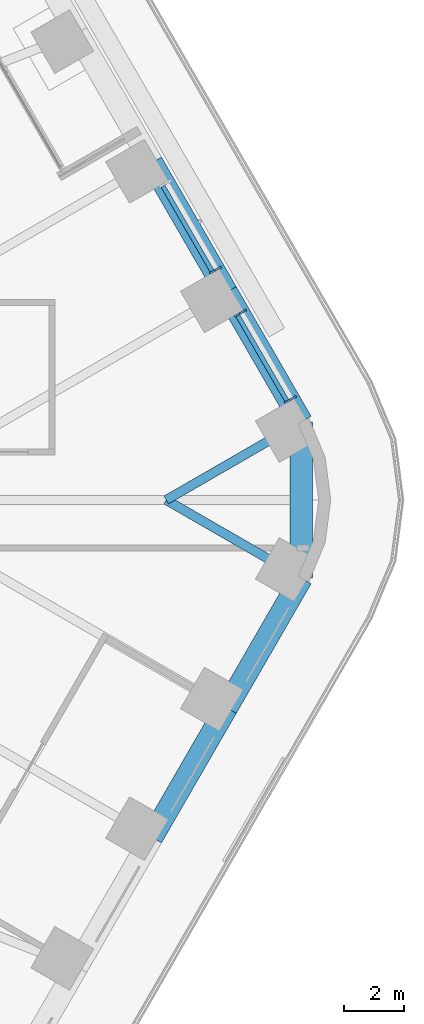
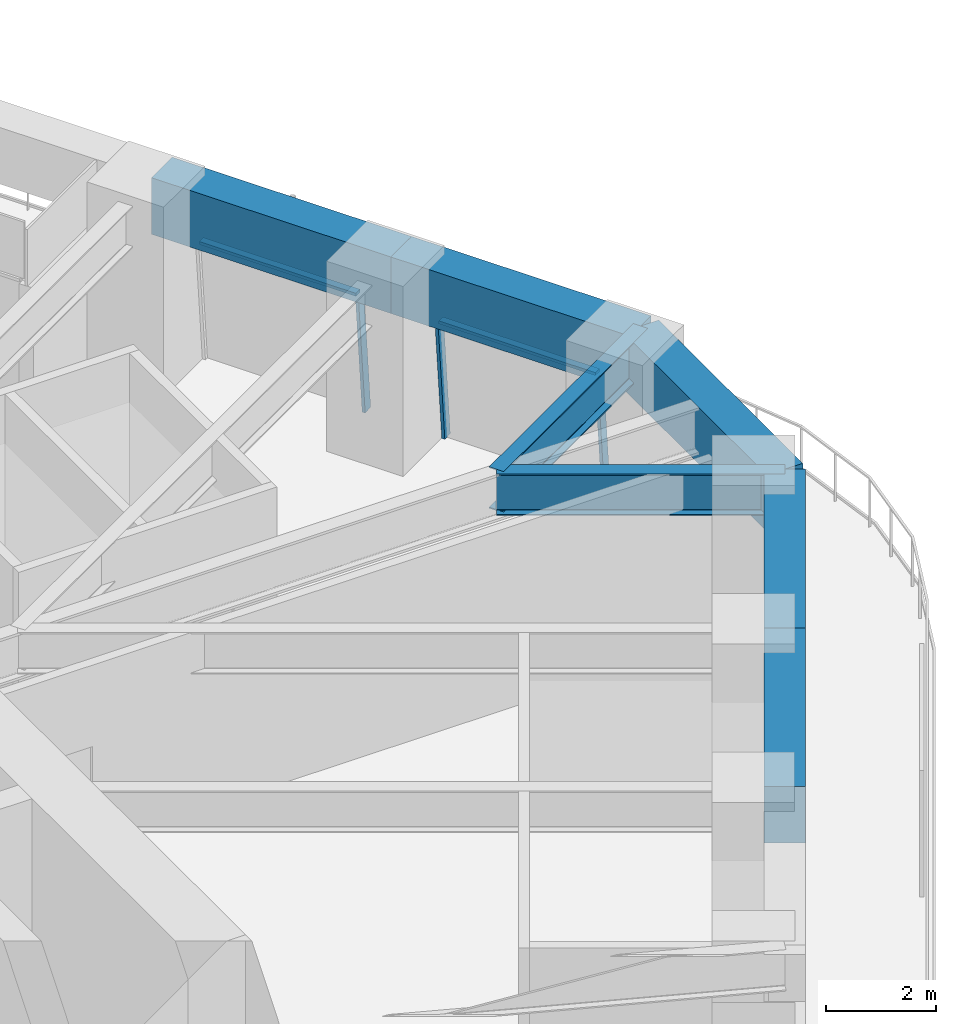
# One storey, part 14 of 24: 7 beams, 5 members, 2 elements without a shape of their own.
"""IFC4 building model written with IfcOpenShell, lengths in metres."""

from ifc_helpers import new_model, si_unit, direction, frame, origin, origin_2d, place, context, subcontext, project, spatial, rectangle, i_section, extrude, material, material_profile, profile_set, type_object, element, aggregate, save


model = new_model("IFC4")

# Units and contexts
model_context = context("Model", 3, precision=1e-05, world=origin(), true_north=direction((0.0, 1.0)))
body_context = subcontext(model_context, "Body", "Model", "MODEL_VIEW")
ifc_project = project(units=[si_unit("LENGTHUNIT", "METRE"), si_unit("AREAUNIT", "SQUARE_METRE"), si_unit("VOLUMEUNIT", "CUBIC_METRE"), si_unit("PLANEANGLEUNIT", "RADIAN"), si_unit("MASSUNIT", "GRAM", prefix="KILO")], contexts=[model_context])

# Site, building, storey
site_placement = place(None, origin())
site = spatial("IfcSite", under=ifc_project, at=site_placement, CompositionType="ELEMENT")
building_placement = place(site_placement, origin())
building = spatial("IfcBuilding", under=site, at=building_placement, Name="Tarfa Lantern Tower", CompositionType="ELEMENT")
storey_placement = place(building_placement, frame((0.0, 0.0, 148.89990234375)))
storey = spatial("IfcBuildingStorey", under=building, at=storey_placement, Name="L33", CompositionType="ELEMENT", Elevation=148.89990234375)

# Curtain wall, members
ifc_material_1 = material(Name="Aluminium framed curtain wall", Category="aluminium")
curtain_wall_type = type_object("IfcCurtainWallType", Name="CW2 CANTED GLAZING MID ZONE 2750", PredefinedType="USERDEFINED", material=ifc_material_1)
curtain_wall_1_placement = place(storey_placement, origin())
curtain_wall_1 = element("IfcCurtainWall", 1, at=curtain_wall_1_placement, inside=storey, type_object=curtain_wall_type, Name="CW2 NE L33", ObjectType="CURTAIN WALL", PredefinedType="USERDEFINED")
ifc_material_2 = material(Name="Aluminium mullion", Category="aluminium")
ifc_material_profile_1 = material_profile(ifc_material_2, rectangle(XDim=0.06494140625, YDim=0.199951171875, at=origin_2d()), Name="AL MULLION 65x200")
ifc_profile_set_1 = profile_set([ifc_material_profile_1], Name="Aluminium mullion")
member_type_1 = type_object("IfcMemberType", Name="CWM1 MULLION 65x200", PredefinedType="MULLION", material=ifc_profile_set_1)
member_1_placement = place(storey_placement, frame((34.282470703125, 3.4208984375, 0.0), z_axis=(-0.078422950161, -0.045267813396, 0.995891894715), x_axis=(0.499919672301, -0.866071776036, 0.0)))
member_1 = element("IfcMember", 2, at=member_1_placement, type_object=member_type_1, Name="CW2 mullion 1", PredefinedType="MULLION", context=body_context, shape_type="SweptSolid", body=[
    extrude(rectangle(XDim=0.06494140625, YDim=0.199951171875, at=origin_2d()), origin(), (0.0, 0.0, 1.0), 2.76123046875),
])
member_2_placement = place(storey_placement, frame((32.613037109375, 6.312255859375, 0.0), z_axis=(-0.078335079308, -0.045268127094, 0.995898796073), x_axis=(0.500342721131, -0.865827443207, 0.0)))
member_2 = element("IfcMember", 3, at=member_2_placement, type_object=member_type_1, Name="CW2 mullion 2", PredefinedType="MULLION", context=body_context, shape_type="SweptSolid", body=[
    extrude(rectangle(XDim=0.06494140625, YDim=0.199951171875, at=origin_2d()), origin(), (0.0, 0.0, 1.0), 2.76123046875),
])

# Curtain wall, member
curtain_wall_2_placement = place(storey_placement, origin())
curtain_wall_2 = element("IfcCurtainWall", 4, at=curtain_wall_2_placement, inside=storey, type_object=curtain_wall_type, Name="CW2 NE L33", ObjectType="CURTAIN WALL", PredefinedType="USERDEFINED")
member_3_placement = place(storey_placement, frame((31.78076171875, 7.75439453125, 0.0), z_axis=(-0.078422950161, -0.045267813396, 0.995891894715), x_axis=(0.499919672301, -0.866071776036, 0.0)))
member_3 = element("IfcMember", 5, at=member_3_placement, type_object=member_type_1, Name="CW2 mullion 1", PredefinedType="MULLION", context=body_context, shape_type="SweptSolid", body=[
    extrude(rectangle(XDim=0.06494140625, YDim=0.199951171875, at=origin_2d()), origin(), (0.0, 0.0, 1.0), 2.76123046875),
])

# Member
ifc_material_3 = material(Name="Aluminium transom", Category="aluminium")
ifc_material_profile_2 = material_profile(ifc_material_3, rectangle(XDim=0.14990234375, YDim=0.06494140625, at=origin_2d()), Name="AL TRANSOM 150x65")
ifc_profile_set_2 = profile_set([ifc_material_profile_2], Name="Aluminium transom")
member_type_2 = type_object("IfcMemberType", Name="CWT1 TRANSOM 150x65", PredefinedType="USERDEFINED", material=ifc_profile_set_2)
member_4_placement = place(storey_placement, frame((34.05224609375, 3.32568359375, 2.717529296875), z_axis=(-0.499989298045, 0.866031582473, 0.0), x_axis=(-0.866031582473, -0.499989298045, 0.0)))
member_4 = element("IfcMember", 6, at=member_4_placement, type_object=member_type_2, Name="CW2 transom 1.2", ObjectType="TRANSOM", PredefinedType="USERDEFINED", context=body_context, shape_type="SweptSolid", body=[
    extrude(rectangle(XDim=0.14990234375, YDim=0.06494140625, at=origin_2d()), origin(), (0.0, 0.0, 1.0), 3.2734375),
])

aggregate(curtain_wall_1, [member_1, member_2, member_4])

member_5_placement = place(storey_placement, frame((31.550537109375, 7.658935546875, 2.717529296875), z_axis=(-0.500012937857, 0.86601793398, 0.0), x_axis=(-0.86601793398, -0.500012937857, 0.0)))
member_5 = element("IfcMember", 7, at=member_5_placement, type_object=member_type_2, Name="CW2 transom 1.2", ObjectType="TRANSOM", PredefinedType="USERDEFINED", context=body_context, shape_type="SweptSolid", body=[
    extrude(rectangle(XDim=0.14990234375, YDim=0.06494140625, at=origin_2d()), origin(), (0.0, 0.0, 1.0), 3.27392578125),
])

aggregate(curtain_wall_2, [member_3, member_5])

# Beams
ifc_material_4 = material(Name="Concrete C80/95", Category="concrete")
ifc_material_profile_3 = material_profile(ifc_material_4, rectangle(XDim=0.75, YDim=1.25, at=origin_2d()), Name="RC 750x1250")
ifc_profile_set_3 = profile_set([ifc_material_profile_3], Name="Concrete C80/95")
beam_type_1 = type_object("IfcBeamType", Name="EB2 RC 750x1250", PredefinedType="SPANDREL", material=ifc_profile_set_3)
for number, where, z_axis, x_axis, name in (
    (8, (34.54296875, 2.610107421875, 3.375), (-0.500022324899, 0.866012514114, 0.0), (-0.866012514114, -0.500022324899, 0.0), "Edge beam NE0"),
    (9, (32.041015625, 6.943359375, 3.375), (-0.500022324899, 0.866012514114, 0.0), (-0.866012514114, -0.500022324899, 0.0), "Edge beam NE1"),
    (10, (29.5390625, -11.276611328125, 3.375), (0.500022324899, 0.866012514114, 0.0), (-0.866012514114, 0.500022324899, 0.0), "Edge beam SE4"),
    (11, (32.041015625, -6.943359375, 3.375), (0.500022324899, 0.866012514114, 0.0), (-0.866012514114, 0.500022324899, 0.0), "Edge beam SE5"),
):
    element("IfcBeam", number, at=place(storey_placement, frame(where, z_axis=z_axis, x_axis=x_axis)), inside=storey, type_object=beam_type_1, Name=name, PredefinedType="SPANDREL", context=body_context, shape_type="SweptSolid", body=[
        extrude(rectangle(XDim=0.75, YDim=1.25, at=origin_2d()), origin(), (0.0, 0.0, 1.0), 5.003662109375),
    ])
beam_placement = place(storey_placement, frame((34.54296875, -2.610107421875, 3.375), z_axis=(0.0, 1.0, 0.0), x_axis=(-1.0, 0.0, 0.0)))
element("IfcBeam", 12, at=beam_placement, inside=storey, type_object=beam_type_1, Name="Edge beam SE6", PredefinedType="SPANDREL", context=body_context, shape_type="SweptSolid", body=[
    extrude(rectangle(XDim=0.75, YDim=1.25, at=origin_2d()), origin(), (0.0, 0.0, 1.0), 5.22021484375),
])
ifc_material_5 = material(Name="Steel S460M", Category="steel")
ifc_material_profile_4 = material_profile(ifc_material_5, i_section(OverallWidth=0.305419921875, OverallDepth=0.91845703125, WebThickness=0.017333984375, FlangeThickness=0.02783203125, FilletRadius=0.01904296875, at=origin_2d()), Name="UB914x305x253")
ifc_profile_set_4 = profile_set([ifc_material_profile_4], Name="Steel S460M")
beam_type_2 = type_object("IfcBeamType", Name="UB914x305x253", PredefinedType="BEAM", material=ifc_profile_set_4)
for number, where, z_axis, x_axis, name in (
    (13, (34.54296875, 2.610107421875, 3.541015625), (-0.866021250859, -0.500007193008, 0.0), (0.500007193008, -0.866021250859, 0.0), "Floor beam NE0"),
    (14, (34.54296875, -2.610107421875, 3.541015625), (-0.866021250859, 0.500007193008, 0.0), (-0.500007193008, -0.866021250859, 0.0), "Floor beam SE6"),
):
    element("IfcBeam", number, at=place(storey_placement, frame(where, z_axis=z_axis, x_axis=x_axis)), inside=storey, type_object=beam_type_2, Name=name, PredefinedType="BEAM", context=body_context, shape_type="SweptSolid", body=[
        extrude(i_section(OverallWidth=0.305419921875, OverallDepth=0.91845703125, WebThickness=0.017333984375, FlangeThickness=0.02783203125, FilletRadius=0.01904296875, at=origin_2d()), origin(), (0.0, 0.0, 1.0), 5.22021484375),
    ])

save(model, "model.ifc")
